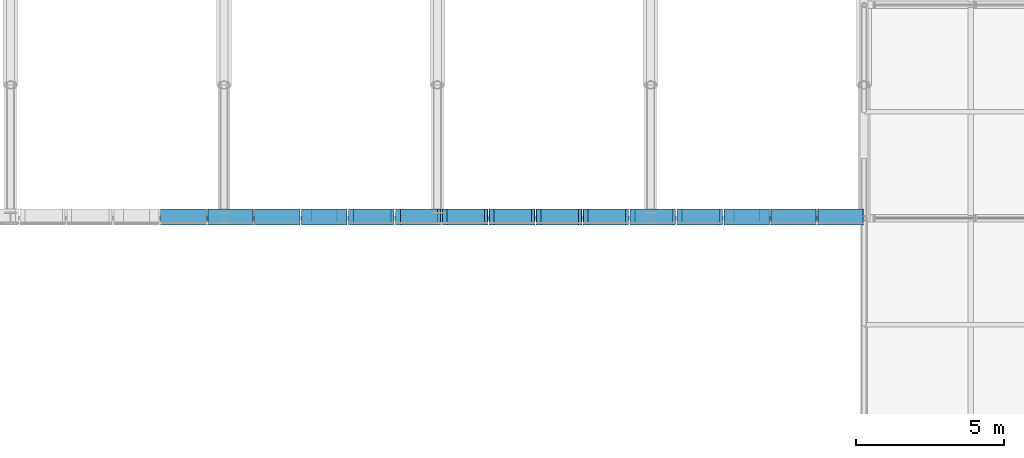
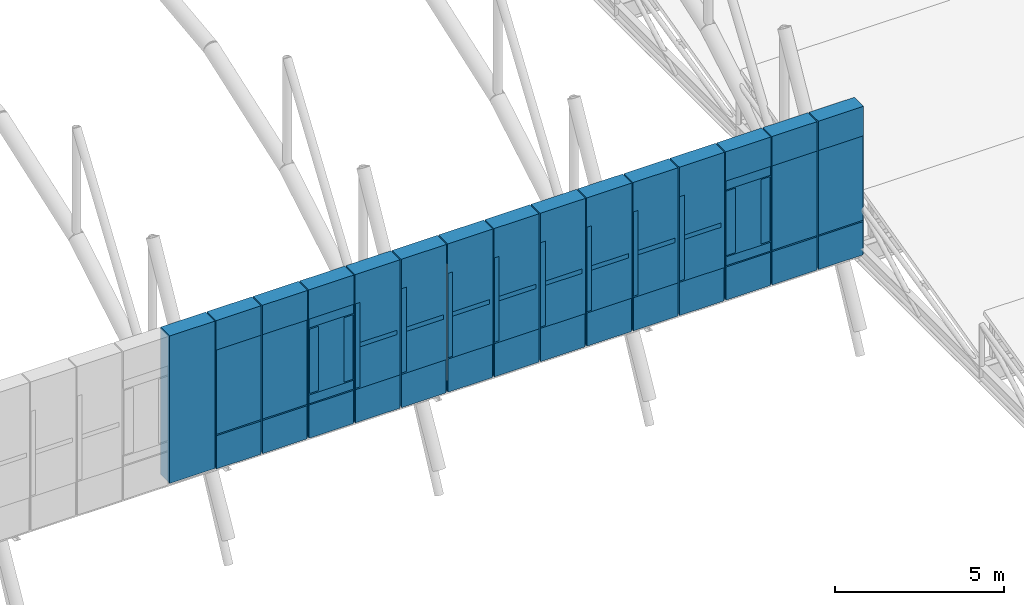
# One storey, part 116 of 144: 57 discrete accessories.
"""IFC4 building model written with IfcOpenShell, lengths in metres."""

from ifc_helpers import new_model, si_unit, direction, frame, origin, origin_2d, place, context, subcontext, project, spatial, rectangle, extrude, material, type_object, element, save


model = new_model("IFC4")

# Units and contexts
model_context = context("Model", 3, precision=1e-05, world=origin(), true_north=direction((0.0, 1.0)))
body_context = subcontext(model_context, "Body", "Model", "MODEL_VIEW")
ifc_project = project(units=[si_unit("LENGTHUNIT", "METRE"), si_unit("AREAUNIT", "SQUARE_METRE"), si_unit("VOLUMEUNIT", "CUBIC_METRE"), si_unit("PLANEANGLEUNIT", "RADIAN"), si_unit("MASSUNIT", "GRAM", prefix="KILO")], contexts=[model_context])

# Site, building, storey
site_placement = place(None, origin())
site = spatial("IfcSite", under=ifc_project, at=site_placement, CompositionType="ELEMENT")
building_placement = place(site_placement, origin())
building = spatial("IfcBuilding", under=site, at=building_placement, Name="Yarey Park Central Fire Station", CompositionType="ELEMENT")
storey_placement = place(building_placement, frame((0.0, 0.0, 10.199951171875)))
storey = spatial("IfcBuildingStorey", under=building, at=storey_placement, Name="L03", CompositionType="ELEMENT", Elevation=10.199951171875)

# Discrete accessories
ifc_material = material(Name="Stainless Steel AISI 316L", Category="steel")
discrete_accessory_type = type_object("IfcDiscreteAccessoryType", Name="ENV_BRK_SS1", PredefinedType="BRACKET", material=ifc_material)
discrete_accessory_1_placement = place(storey_placement, frame((113.83203125, 57.64990234375, -0.389892578125), z_axis=(0.0, 0.0, 1.0), x_axis=(1.0, 0.0, 0.0)))
element("IfcDiscreteAccessory", 1, at=discrete_accessory_1_placement, inside=storey, type_object=discrete_accessory_type, Name="BRK_RAIL_L03_1509", PredefinedType="BRACKET", context=body_context, shape_type="SweptSolid", body=[
    extrude(rectangle(XDim=1.5439453125, YDim=0.5400390625, at=origin_2d()), origin(), (0.0, 0.0, 1.0), 5.330078125),
])
discrete_accessory_2_placement = place(storey_placement, frame((115.416015625, 57.64990234375, -0.4248046875), z_axis=(0.0, 0.0, 1.0), x_axis=(1.0, 0.0, 0.0)))
element("IfcDiscreteAccessory", 2, at=discrete_accessory_2_placement, inside=storey, type_object=discrete_accessory_type, Name="BRK_PERF_L03_1510", PredefinedType="BRACKET", context=body_context, shape_type="SweptSolid", body=[
    extrude(rectangle(XDim=1.52392578125, YDim=0.5400390625, at=origin_2d()), origin(), (0.0, 0.0, 1.0), 1.199951171875),
])
discrete_accessory_3_placement = place(storey_placement, frame((115.416015625, 57.64990234375, 0.8251953125), z_axis=(0.0, 0.0, 1.0), x_axis=(1.0, 0.0, 0.0)))
element("IfcDiscreteAccessory", 3, at=discrete_accessory_3_placement, inside=storey, type_object=discrete_accessory_type, Name="BRK_PERF_L03_1511", PredefinedType="BRACKET", context=body_context, shape_type="SweptSolid", body=[
    extrude(rectangle(XDim=1.52392578125, YDim=0.5400390625, at=origin_2d()), origin(), (0.0, 0.0, 1.0), 3.050048828125),
])
discrete_accessory_4_placement = place(storey_placement, frame((115.416015625, 57.64990234375, -0.389892578125), z_axis=(0.0, 0.0, 1.0), x_axis=(1.0, 0.0, 0.0)))
element("IfcDiscreteAccessory", 4, at=discrete_accessory_4_placement, inside=storey, type_object=discrete_accessory_type, Name="BRK_RAIL_L03_1512", PredefinedType="BRACKET", context=body_context, shape_type="SweptSolid", body=[
    extrude(rectangle(XDim=1.5439453125, YDim=0.5400390625, at=origin_2d()), origin(), (0.0, 0.0, 1.0), 5.330078125),
])
discrete_accessory_5_placement = place(storey_placement, frame((117.0, 57.64990234375, -0.4248046875), z_axis=(0.0, 0.0, 1.0), x_axis=(1.0, 0.0, 0.0)))
element("IfcDiscreteAccessory", 5, at=discrete_accessory_5_placement, inside=storey, type_object=discrete_accessory_type, Name="BRK_PERF_L03_1513", PredefinedType="BRACKET", context=body_context, shape_type="SweptSolid", body=[
    extrude(rectangle(XDim=1.52392578125, YDim=0.5400390625, at=origin_2d()), origin(), (0.0, 0.0, 1.0), 1.199951171875),
])
discrete_accessory_6_placement = place(storey_placement, frame((117.0, 57.64990234375, 0.8251953125), z_axis=(0.0, 0.0, 1.0), x_axis=(1.0, 0.0, 0.0)))
element("IfcDiscreteAccessory", 6, at=discrete_accessory_6_placement, inside=storey, type_object=discrete_accessory_type, Name="BRK_PERF_L03_1514", PredefinedType="BRACKET", context=body_context, shape_type="SweptSolid", body=[
    extrude(rectangle(XDim=1.52392578125, YDim=0.5400390625, at=origin_2d()), origin(), (0.0, 0.0, 1.0), 3.050048828125),
])
discrete_accessory_7_placement = place(storey_placement, frame((117.0, 57.64990234375, -0.389892578125), z_axis=(0.0, 0.0, 1.0), x_axis=(1.0, 0.0, 0.0)))
element("IfcDiscreteAccessory", 7, at=discrete_accessory_7_placement, inside=storey, type_object=discrete_accessory_type, Name="BRK_RAIL_L03_1515", PredefinedType="BRACKET", context=body_context, shape_type="SweptSolid", body=[
    extrude(rectangle(XDim=1.5439453125, YDim=0.5400390625, at=origin_2d()), origin(), (0.0, 0.0, 1.0), 5.330078125),
])
discrete_accessory_8_placement = place(storey_placement, frame((118.583984375, 57.64990234375, -0.4248046875), z_axis=(0.0, 0.0, 1.0), x_axis=(1.0, 0.0, 0.0)))
element("IfcDiscreteAccessory", 8, at=discrete_accessory_8_placement, inside=storey, type_object=discrete_accessory_type, Name="BRK_PERF_L03_1516", PredefinedType="BRACKET", context=body_context, shape_type="SweptSolid", body=[
    extrude(rectangle(XDim=1.52392578125, YDim=0.5400390625, at=origin_2d()), origin(), (0.0, 0.0, 1.0), 1.199951171875),
])
for number, where, z_axis, x_axis, name in (
    (9, (118.583984375, 57.64990234375, 0.81982421875), (0.0, 0.0, 1.0), (1.0, 0.0, 0.0), "BRK_PERF_L03_1517"),
    (10, (118.583984375, 57.64990234375, 3.56005859375), (0.0, 0.0, 1.0), (1.0, 0.0, 0.0), "BRK_PERF_L03_1518"),
):
    element("IfcDiscreteAccessory", number, at=place(storey_placement, frame(where, z_axis=z_axis, x_axis=x_axis)), inside=storey, type_object=discrete_accessory_type, Name=name, PredefinedType="BRACKET", context=body_context, shape_type="SweptSolid", body=[
        extrude(rectangle(XDim=1.52392578125, YDim=0.5400390625, at=origin_2d()), origin(), (0.0, 0.0, 1.0), 0.320068359375),
    ])
for number, where, z_axis, x_axis, name in (
    (11, (117.991943359375, 57.64990234375, 1.18505859375), (0.0, 0.0, 1.0), (1.0, 0.0, 0.0), "BRK_PERF_L03_1519"),
    (12, (119.176025390625, 57.64990234375, 1.18505859375), (0.0, 0.0, 1.0), (1.0, 0.0, 0.0), "BRK_PERF_L03_1520"),
):
    element("IfcDiscreteAccessory", number, at=place(storey_placement, frame(where, z_axis=z_axis, x_axis=x_axis)), inside=storey, type_object=discrete_accessory_type, Name=name, PredefinedType="BRACKET", context=body_context, shape_type="SweptSolid", body=[
        extrude(rectangle(XDim=0.320068359375, YDim=0.5400390625, at=origin_2d()), origin(), (0.0, 0.0, 1.0), 2.330078125),
    ])
discrete_accessory_9_placement = place(storey_placement, frame((118.583984375, 57.64990234375, -0.389892578125), z_axis=(0.0, 0.0, 1.0), x_axis=(1.0, 0.0, 0.0)))
element("IfcDiscreteAccessory", 13, at=discrete_accessory_9_placement, inside=storey, type_object=discrete_accessory_type, Name="BRK_RAIL_L03_1521", PredefinedType="BRACKET", context=body_context, shape_type="SweptSolid", body=[
    extrude(rectangle(XDim=1.5439453125, YDim=0.5400390625, at=origin_2d()), origin(), (0.0, 0.0, 1.0), 5.330078125),
])
discrete_accessory_10_placement = place(storey_placement, frame((120.16796875, 57.64990234375, -0.4248046875), z_axis=(0.0, 0.0, 1.0), x_axis=(1.0, 0.0, 0.0)))
element("IfcDiscreteAccessory", 14, at=discrete_accessory_10_placement, inside=storey, type_object=discrete_accessory_type, Name="BRK_PERF_L03_1522", PredefinedType="BRACKET", context=body_context, shape_type="SweptSolid", body=[
    extrude(rectangle(XDim=1.52392578125, YDim=0.5400390625, at=origin_2d()), origin(), (0.0, 0.0, 1.0), 1.199951171875),
])
discrete_accessory_11_placement = place(storey_placement, frame((119.486083984375, 57.64990234375, 0.8251953125), z_axis=(0.0, 0.0, 1.0), x_axis=(1.0, 0.0, 0.0)))
element("IfcDiscreteAccessory", 15, at=discrete_accessory_11_placement, inside=storey, type_object=discrete_accessory_type, Name="BRK_PERF_L03_1523", PredefinedType="BRACKET", context=body_context, shape_type="SweptSolid", body=[
    extrude(rectangle(XDim=0.159912109375, YDim=0.5400390625, at=origin_2d()), origin(), (0.0, 0.0, 1.0), 3.050048828125),
])
discrete_accessory_12_placement = place(storey_placement, frame((120.16796875, 57.64990234375, 2.27001953125), z_axis=(0.0, 0.0, 1.0), x_axis=(1.0, 0.0, 0.0)))
element("IfcDiscreteAccessory", 16, at=discrete_accessory_12_placement, inside=storey, type_object=discrete_accessory_type, Name="BRK_PERF_L03_1524", PredefinedType="BRACKET", context=body_context, shape_type="SweptSolid", body=[
    extrude(rectangle(XDim=1.323974609375, YDim=0.5400390625, at=origin_2d()), origin(), (0.0, 0.0, 1.0), 0.159912109375),
])
discrete_accessory_13_placement = place(storey_placement, frame((120.16796875, 57.64990234375, -0.389892578125), z_axis=(0.0, 0.0, 1.0), x_axis=(1.0, 0.0, 0.0)))
element("IfcDiscreteAccessory", 17, at=discrete_accessory_13_placement, inside=storey, type_object=discrete_accessory_type, Name="BRK_RAIL_L03_1525", PredefinedType="BRACKET", context=body_context, shape_type="SweptSolid", body=[
    extrude(rectangle(XDim=1.5439453125, YDim=0.5400390625, at=origin_2d()), origin(), (0.0, 0.0, 1.0), 5.330078125),
])
discrete_accessory_14_placement = place(storey_placement, frame((121.751953125, 57.64990234375, -0.4248046875), z_axis=(0.0, 0.0, 1.0), x_axis=(1.0, 0.0, 0.0)))
element("IfcDiscreteAccessory", 18, at=discrete_accessory_14_placement, inside=storey, type_object=discrete_accessory_type, Name="BRK_PERF_L03_1526", PredefinedType="BRACKET", context=body_context, shape_type="SweptSolid", body=[
    extrude(rectangle(XDim=1.52392578125, YDim=0.5400390625, at=origin_2d()), origin(), (0.0, 0.0, 1.0), 1.199951171875),
])
discrete_accessory_15_placement = place(storey_placement, frame((121.070068359375, 57.64990234375, 0.8251953125), z_axis=(0.0, 0.0, 1.0), x_axis=(1.0, 0.0, 0.0)))
element("IfcDiscreteAccessory", 19, at=discrete_accessory_15_placement, inside=storey, type_object=discrete_accessory_type, Name="BRK_PERF_L03_1527", PredefinedType="BRACKET", context=body_context, shape_type="SweptSolid", body=[
    extrude(rectangle(XDim=0.159912109375, YDim=0.5400390625, at=origin_2d()), origin(), (0.0, 0.0, 1.0), 3.050048828125),
])
discrete_accessory_16_placement = place(storey_placement, frame((121.751953125, 57.64990234375, 2.27001953125), z_axis=(0.0, 0.0, 1.0), x_axis=(1.0, 0.0, 0.0)))
element("IfcDiscreteAccessory", 20, at=discrete_accessory_16_placement, inside=storey, type_object=discrete_accessory_type, Name="BRK_PERF_L03_1528", PredefinedType="BRACKET", context=body_context, shape_type="SweptSolid", body=[
    extrude(rectangle(XDim=1.323974609375, YDim=0.5400390625, at=origin_2d()), origin(), (0.0, 0.0, 1.0), 0.159912109375),
])
discrete_accessory_17_placement = place(storey_placement, frame((121.751953125, 57.64990234375, -0.389892578125), z_axis=(0.0, 0.0, 1.0), x_axis=(1.0, 0.0, 0.0)))
element("IfcDiscreteAccessory", 21, at=discrete_accessory_17_placement, inside=storey, type_object=discrete_accessory_type, Name="BRK_RAIL_L03_1529", PredefinedType="BRACKET", context=body_context, shape_type="SweptSolid", body=[
    extrude(rectangle(XDim=1.5439453125, YDim=0.5400390625, at=origin_2d()), origin(), (0.0, 0.0, 1.0), 5.330078125),
])
discrete_accessory_18_placement = place(storey_placement, frame((123.3359375, 57.64990234375, -0.4248046875), z_axis=(0.0, 0.0, 1.0), x_axis=(1.0, 0.0, 0.0)))
element("IfcDiscreteAccessory", 22, at=discrete_accessory_18_placement, inside=storey, type_object=discrete_accessory_type, Name="BRK_PERF_L03_1530", PredefinedType="BRACKET", context=body_context, shape_type="SweptSolid", body=[
    extrude(rectangle(XDim=1.52392578125, YDim=0.5400390625, at=origin_2d()), origin(), (0.0, 0.0, 1.0), 1.199951171875),
])
discrete_accessory_19_placement = place(storey_placement, frame((122.654052734375, 57.64990234375, 0.8251953125), z_axis=(0.0, 0.0, 1.0), x_axis=(1.0, 0.0, 0.0)))
element("IfcDiscreteAccessory", 23, at=discrete_accessory_19_placement, inside=storey, type_object=discrete_accessory_type, Name="BRK_PERF_L03_1531", PredefinedType="BRACKET", context=body_context, shape_type="SweptSolid", body=[
    extrude(rectangle(XDim=0.159912109375, YDim=0.5400390625, at=origin_2d()), origin(), (0.0, 0.0, 1.0), 3.050048828125),
])
discrete_accessory_20_placement = place(storey_placement, frame((123.3359375, 57.64990234375, 2.27001953125), z_axis=(0.0, 0.0, 1.0), x_axis=(1.0, 0.0, 0.0)))
element("IfcDiscreteAccessory", 24, at=discrete_accessory_20_placement, inside=storey, type_object=discrete_accessory_type, Name="BRK_PERF_L03_1532", PredefinedType="BRACKET", context=body_context, shape_type="SweptSolid", body=[
    extrude(rectangle(XDim=1.323974609375, YDim=0.5400390625, at=origin_2d()), origin(), (0.0, 0.0, 1.0), 0.159912109375),
])
discrete_accessory_21_placement = place(storey_placement, frame((123.3359375, 57.64990234375, -0.389892578125), z_axis=(0.0, 0.0, 1.0), x_axis=(1.0, 0.0, 0.0)))
element("IfcDiscreteAccessory", 25, at=discrete_accessory_21_placement, inside=storey, type_object=discrete_accessory_type, Name="BRK_RAIL_L03_1533", PredefinedType="BRACKET", context=body_context, shape_type="SweptSolid", body=[
    extrude(rectangle(XDim=1.5439453125, YDim=0.5400390625, at=origin_2d()), origin(), (0.0, 0.0, 1.0), 5.330078125),
])
discrete_accessory_22_placement = place(storey_placement, frame((124.919921875, 57.64990234375, -0.4248046875), z_axis=(0.0, 0.0, 1.0), x_axis=(1.0, 0.0, 0.0)))
element("IfcDiscreteAccessory", 26, at=discrete_accessory_22_placement, inside=storey, type_object=discrete_accessory_type, Name="BRK_PERF_L03_1534", PredefinedType="BRACKET", context=body_context, shape_type="SweptSolid", body=[
    extrude(rectangle(XDim=1.52392578125, YDim=0.5400390625, at=origin_2d()), origin(), (0.0, 0.0, 1.0), 1.199951171875),
])
discrete_accessory_23_placement = place(storey_placement, frame((124.238037109375, 57.64990234375, 0.8251953125), z_axis=(0.0, 0.0, 1.0), x_axis=(1.0, 0.0, 0.0)))
element("IfcDiscreteAccessory", 27, at=discrete_accessory_23_placement, inside=storey, type_object=discrete_accessory_type, Name="BRK_PERF_L03_1535", PredefinedType="BRACKET", context=body_context, shape_type="SweptSolid", body=[
    extrude(rectangle(XDim=0.159912109375, YDim=0.5400390625, at=origin_2d()), origin(), (0.0, 0.0, 1.0), 3.050048828125),
])
discrete_accessory_24_placement = place(storey_placement, frame((124.919921875, 57.64990234375, 2.27001953125), z_axis=(0.0, 0.0, 1.0), x_axis=(1.0, 0.0, 0.0)))
element("IfcDiscreteAccessory", 28, at=discrete_accessory_24_placement, inside=storey, type_object=discrete_accessory_type, Name="BRK_PERF_L03_1536", PredefinedType="BRACKET", context=body_context, shape_type="SweptSolid", body=[
    extrude(rectangle(XDim=1.323974609375, YDim=0.5400390625, at=origin_2d()), origin(), (0.0, 0.0, 1.0), 0.159912109375),
])
discrete_accessory_25_placement = place(storey_placement, frame((124.919921875, 57.64990234375, -0.389892578125), z_axis=(0.0, 0.0, 1.0), x_axis=(1.0, 0.0, 0.0)))
element("IfcDiscreteAccessory", 29, at=discrete_accessory_25_placement, inside=storey, type_object=discrete_accessory_type, Name="BRK_RAIL_L03_1537", PredefinedType="BRACKET", context=body_context, shape_type="SweptSolid", body=[
    extrude(rectangle(XDim=1.5439453125, YDim=0.5400390625, at=origin_2d()), origin(), (0.0, 0.0, 1.0), 5.330078125),
])
discrete_accessory_26_placement = place(storey_placement, frame((126.50390625, 57.64990234375, -0.4248046875), z_axis=(0.0, 0.0, 1.0), x_axis=(1.0, 0.0, 0.0)))
element("IfcDiscreteAccessory", 30, at=discrete_accessory_26_placement, inside=storey, type_object=discrete_accessory_type, Name="BRK_PERF_L03_1538", PredefinedType="BRACKET", context=body_context, shape_type="SweptSolid", body=[
    extrude(rectangle(XDim=1.52392578125, YDim=0.5400390625, at=origin_2d()), origin(), (0.0, 0.0, 1.0), 1.199951171875),
])
discrete_accessory_27_placement = place(storey_placement, frame((125.822021484375, 57.64990234375, 0.8251953125), z_axis=(0.0, 0.0, 1.0), x_axis=(1.0, 0.0, 0.0)))
element("IfcDiscreteAccessory", 31, at=discrete_accessory_27_placement, inside=storey, type_object=discrete_accessory_type, Name="BRK_PERF_L03_1539", PredefinedType="BRACKET", context=body_context, shape_type="SweptSolid", body=[
    extrude(rectangle(XDim=0.159912109375, YDim=0.5400390625, at=origin_2d()), origin(), (0.0, 0.0, 1.0), 3.050048828125),
])
discrete_accessory_28_placement = place(storey_placement, frame((126.50390625, 57.64990234375, 2.27001953125), z_axis=(0.0, 0.0, 1.0), x_axis=(1.0, 0.0, 0.0)))
element("IfcDiscreteAccessory", 32, at=discrete_accessory_28_placement, inside=storey, type_object=discrete_accessory_type, Name="BRK_PERF_L03_1540", PredefinedType="BRACKET", context=body_context, shape_type="SweptSolid", body=[
    extrude(rectangle(XDim=1.323974609375, YDim=0.5400390625, at=origin_2d()), origin(), (0.0, 0.0, 1.0), 0.159912109375),
])
discrete_accessory_29_placement = place(storey_placement, frame((126.50390625, 57.64990234375, -0.389892578125), z_axis=(0.0, 0.0, 1.0), x_axis=(1.0, 0.0, 0.0)))
element("IfcDiscreteAccessory", 33, at=discrete_accessory_29_placement, inside=storey, type_object=discrete_accessory_type, Name="BRK_RAIL_L03_1541", PredefinedType="BRACKET", context=body_context, shape_type="SweptSolid", body=[
    extrude(rectangle(XDim=1.5439453125, YDim=0.5400390625, at=origin_2d()), origin(), (0.0, 0.0, 1.0), 5.330078125),
])
discrete_accessory_30_placement = place(storey_placement, frame((128.087890625, 57.64990234375, -0.4248046875), z_axis=(0.0, 0.0, 1.0), x_axis=(1.0, 0.0, 0.0)))
element("IfcDiscreteAccessory", 34, at=discrete_accessory_30_placement, inside=storey, type_object=discrete_accessory_type, Name="BRK_PERF_L03_1542", PredefinedType="BRACKET", context=body_context, shape_type="SweptSolid", body=[
    extrude(rectangle(XDim=1.52392578125, YDim=0.5400390625, at=origin_2d()), origin(), (0.0, 0.0, 1.0), 1.199951171875),
])
discrete_accessory_31_placement = place(storey_placement, frame((127.406005859375, 57.64990234375, 0.8251953125), z_axis=(0.0, 0.0, 1.0), x_axis=(1.0, 0.0, 0.0)))
element("IfcDiscreteAccessory", 35, at=discrete_accessory_31_placement, inside=storey, type_object=discrete_accessory_type, Name="BRK_PERF_L03_1543", PredefinedType="BRACKET", context=body_context, shape_type="SweptSolid", body=[
    extrude(rectangle(XDim=0.159912109375, YDim=0.5400390625, at=origin_2d()), origin(), (0.0, 0.0, 1.0), 3.050048828125),
])
discrete_accessory_32_placement = place(storey_placement, frame((128.087890625, 57.64990234375, 2.27001953125), z_axis=(0.0, 0.0, 1.0), x_axis=(1.0, 0.0, 0.0)))
element("IfcDiscreteAccessory", 36, at=discrete_accessory_32_placement, inside=storey, type_object=discrete_accessory_type, Name="BRK_PERF_L03_1544", PredefinedType="BRACKET", context=body_context, shape_type="SweptSolid", body=[
    extrude(rectangle(XDim=1.323974609375, YDim=0.5400390625, at=origin_2d()), origin(), (0.0, 0.0, 1.0), 0.159912109375),
])
discrete_accessory_33_placement = place(storey_placement, frame((128.087890625, 57.64990234375, -0.389892578125), z_axis=(0.0, 0.0, 1.0), x_axis=(1.0, 0.0, 0.0)))
element("IfcDiscreteAccessory", 37, at=discrete_accessory_33_placement, inside=storey, type_object=discrete_accessory_type, Name="BRK_RAIL_L03_1545", PredefinedType="BRACKET", context=body_context, shape_type="SweptSolid", body=[
    extrude(rectangle(XDim=1.5439453125, YDim=0.5400390625, at=origin_2d()), origin(), (0.0, 0.0, 1.0), 5.330078125),
])
discrete_accessory_34_placement = place(storey_placement, frame((129.672119140625, 57.64990234375, -0.4248046875), z_axis=(0.0, 0.0, 1.0), x_axis=(1.0, 0.0, 0.0)))
element("IfcDiscreteAccessory", 38, at=discrete_accessory_34_placement, inside=storey, type_object=discrete_accessory_type, Name="BRK_PERF_L03_1546", PredefinedType="BRACKET", context=body_context, shape_type="SweptSolid", body=[
    extrude(rectangle(XDim=1.52392578125, YDim=0.5400390625, at=origin_2d()), origin(), (0.0, 0.0, 1.0), 1.199951171875),
])
discrete_accessory_35_placement = place(storey_placement, frame((128.989990234375, 57.64990234375, 0.8251953125), z_axis=(0.0, 0.0, 1.0), x_axis=(1.0, 0.0, 0.0)))
element("IfcDiscreteAccessory", 39, at=discrete_accessory_35_placement, inside=storey, type_object=discrete_accessory_type, Name="BRK_PERF_L03_1547", PredefinedType="BRACKET", context=body_context, shape_type="SweptSolid", body=[
    extrude(rectangle(XDim=0.159912109375, YDim=0.5400390625, at=origin_2d()), origin(), (0.0, 0.0, 1.0), 3.050048828125),
])
discrete_accessory_36_placement = place(storey_placement, frame((129.672119140625, 57.64990234375, 2.27001953125), z_axis=(0.0, 0.0, 1.0), x_axis=(1.0, 0.0, 0.0)))
element("IfcDiscreteAccessory", 40, at=discrete_accessory_36_placement, inside=storey, type_object=discrete_accessory_type, Name="BRK_PERF_L03_1548", PredefinedType="BRACKET", context=body_context, shape_type="SweptSolid", body=[
    extrude(rectangle(XDim=1.323974609375, YDim=0.5400390625, at=origin_2d()), origin(), (0.0, 0.0, 1.0), 0.159912109375),
])
discrete_accessory_37_placement = place(storey_placement, frame((129.672119140625, 57.64990234375, -0.389892578125), z_axis=(0.0, 0.0, 1.0), x_axis=(1.0, 0.0, 0.0)))
element("IfcDiscreteAccessory", 41, at=discrete_accessory_37_placement, inside=storey, type_object=discrete_accessory_type, Name="BRK_RAIL_L03_1549", PredefinedType="BRACKET", context=body_context, shape_type="SweptSolid", body=[
    extrude(rectangle(XDim=1.5439453125, YDim=0.5400390625, at=origin_2d()), origin(), (0.0, 0.0, 1.0), 5.330078125),
])
discrete_accessory_38_placement = place(storey_placement, frame((131.256103515625, 57.64990234375, -0.4248046875), z_axis=(0.0, 0.0, 1.0), x_axis=(1.0, 0.0, 0.0)))
element("IfcDiscreteAccessory", 42, at=discrete_accessory_38_placement, inside=storey, type_object=discrete_accessory_type, Name="BRK_PERF_L03_1550", PredefinedType="BRACKET", context=body_context, shape_type="SweptSolid", body=[
    extrude(rectangle(XDim=1.52392578125, YDim=0.5400390625, at=origin_2d()), origin(), (0.0, 0.0, 1.0), 1.199951171875),
])
discrete_accessory_39_placement = place(storey_placement, frame((130.573974609375, 57.64990234375, 0.8251953125), z_axis=(0.0, 0.0, 1.0), x_axis=(1.0, 0.0, 0.0)))
element("IfcDiscreteAccessory", 43, at=discrete_accessory_39_placement, inside=storey, type_object=discrete_accessory_type, Name="BRK_PERF_L03_1551", PredefinedType="BRACKET", context=body_context, shape_type="SweptSolid", body=[
    extrude(rectangle(XDim=0.159912109375, YDim=0.5400390625, at=origin_2d()), origin(), (0.0, 0.0, 1.0), 3.050048828125),
])
discrete_accessory_40_placement = place(storey_placement, frame((131.256103515625, 57.64990234375, 2.27001953125), z_axis=(0.0, 0.0, 1.0), x_axis=(1.0, 0.0, 0.0)))
element("IfcDiscreteAccessory", 44, at=discrete_accessory_40_placement, inside=storey, type_object=discrete_accessory_type, Name="BRK_PERF_L03_1552", PredefinedType="BRACKET", context=body_context, shape_type="SweptSolid", body=[
    extrude(rectangle(XDim=1.323974609375, YDim=0.5400390625, at=origin_2d()), origin(), (0.0, 0.0, 1.0), 0.159912109375),
])
discrete_accessory_41_placement = place(storey_placement, frame((131.256103515625, 57.64990234375, -0.389892578125), z_axis=(0.0, 0.0, 1.0), x_axis=(1.0, 0.0, 0.0)))
element("IfcDiscreteAccessory", 45, at=discrete_accessory_41_placement, inside=storey, type_object=discrete_accessory_type, Name="BRK_RAIL_L03_1553", PredefinedType="BRACKET", context=body_context, shape_type="SweptSolid", body=[
    extrude(rectangle(XDim=1.5439453125, YDim=0.5400390625, at=origin_2d()), origin(), (0.0, 0.0, 1.0), 5.330078125),
])
discrete_accessory_42_placement = place(storey_placement, frame((132.840087890625, 57.64990234375, -0.4248046875), z_axis=(0.0, 0.0, 1.0), x_axis=(1.0, 0.0, 0.0)))
element("IfcDiscreteAccessory", 46, at=discrete_accessory_42_placement, inside=storey, type_object=discrete_accessory_type, Name="BRK_PERF_L03_1554", PredefinedType="BRACKET", context=body_context, shape_type="SweptSolid", body=[
    extrude(rectangle(XDim=1.52392578125, YDim=0.5400390625, at=origin_2d()), origin(), (0.0, 0.0, 1.0), 1.199951171875),
])
for number, where, z_axis, x_axis, name in (
    (47, (132.840087890625, 57.64990234375, 0.81982421875), (0.0, 0.0, 1.0), (1.0, 0.0, 0.0), "BRK_PERF_L03_1555"),
    (48, (132.840087890625, 57.64990234375, 3.56005859375), (0.0, 0.0, 1.0), (1.0, 0.0, 0.0), "BRK_PERF_L03_1556"),
):
    element("IfcDiscreteAccessory", number, at=place(storey_placement, frame(where, z_axis=z_axis, x_axis=x_axis)), inside=storey, type_object=discrete_accessory_type, Name=name, PredefinedType="BRACKET", context=body_context, shape_type="SweptSolid", body=[
        extrude(rectangle(XDim=1.52392578125, YDim=0.5400390625, at=origin_2d()), origin(), (0.0, 0.0, 1.0), 0.320068359375),
    ])
for number, where, z_axis, x_axis, name in (
    (49, (132.248046875, 57.64990234375, 1.18505859375), (0.0, 0.0, 1.0), (1.0, 0.0, 0.0), "BRK_PERF_L03_1557"),
    (50, (133.431884765625, 57.64990234375, 1.18505859375), (0.0, 0.0, 1.0), (1.0, 0.0, 0.0), "BRK_PERF_L03_1558"),
):
    element("IfcDiscreteAccessory", number, at=place(storey_placement, frame(where, z_axis=z_axis, x_axis=x_axis)), inside=storey, type_object=discrete_accessory_type, Name=name, PredefinedType="BRACKET", context=body_context, shape_type="SweptSolid", body=[
        extrude(rectangle(XDim=0.320068359375, YDim=0.5400390625, at=origin_2d()), origin(), (0.0, 0.0, 1.0), 2.330078125),
    ])
discrete_accessory_43_placement = place(storey_placement, frame((132.840087890625, 57.64990234375, -0.389892578125), z_axis=(0.0, 0.0, 1.0), x_axis=(1.0, 0.0, 0.0)))
element("IfcDiscreteAccessory", 51, at=discrete_accessory_43_placement, inside=storey, type_object=discrete_accessory_type, Name="BRK_RAIL_L03_1559", PredefinedType="BRACKET", context=body_context, shape_type="SweptSolid", body=[
    extrude(rectangle(XDim=1.5439453125, YDim=0.5400390625, at=origin_2d()), origin(), (0.0, 0.0, 1.0), 5.330078125),
])
discrete_accessory_44_placement = place(storey_placement, frame((134.424072265625, 57.64990234375, -0.4248046875), z_axis=(0.0, 0.0, 1.0), x_axis=(1.0, 0.0, 0.0)))
element("IfcDiscreteAccessory", 52, at=discrete_accessory_44_placement, inside=storey, type_object=discrete_accessory_type, Name="BRK_PERF_L03_1560", PredefinedType="BRACKET", context=body_context, shape_type="SweptSolid", body=[
    extrude(rectangle(XDim=1.52392578125, YDim=0.5400390625, at=origin_2d()), origin(), (0.0, 0.0, 1.0), 1.199951171875),
])
discrete_accessory_45_placement = place(storey_placement, frame((134.424072265625, 57.64990234375, 0.8251953125), z_axis=(0.0, 0.0, 1.0), x_axis=(1.0, 0.0, 0.0)))
element("IfcDiscreteAccessory", 53, at=discrete_accessory_45_placement, inside=storey, type_object=discrete_accessory_type, Name="BRK_PERF_L03_1561", PredefinedType="BRACKET", context=body_context, shape_type="SweptSolid", body=[
    extrude(rectangle(XDim=1.52392578125, YDim=0.5400390625, at=origin_2d()), origin(), (0.0, 0.0, 1.0), 3.050048828125),
])
discrete_accessory_46_placement = place(storey_placement, frame((134.424072265625, 57.64990234375, -0.389892578125), z_axis=(0.0, 0.0, 1.0), x_axis=(1.0, 0.0, 0.0)))
element("IfcDiscreteAccessory", 54, at=discrete_accessory_46_placement, inside=storey, type_object=discrete_accessory_type, Name="BRK_RAIL_L03_1562", PredefinedType="BRACKET", context=body_context, shape_type="SweptSolid", body=[
    extrude(rectangle(XDim=1.5439453125, YDim=0.5400390625, at=origin_2d()), origin(), (0.0, 0.0, 1.0), 5.330078125),
])
discrete_accessory_47_placement = place(storey_placement, frame((136.008056640625, 57.64990234375, -0.4248046875), z_axis=(0.0, 0.0, 1.0), x_axis=(1.0, 0.0, 0.0)))
element("IfcDiscreteAccessory", 55, at=discrete_accessory_47_placement, inside=storey, type_object=discrete_accessory_type, Name="BRK_PERF_L03_1563", PredefinedType="BRACKET", context=body_context, shape_type="SweptSolid", body=[
    extrude(rectangle(XDim=1.52392578125, YDim=0.5400390625, at=origin_2d()), origin(), (0.0, 0.0, 1.0), 1.199951171875),
])
discrete_accessory_48_placement = place(storey_placement, frame((136.008056640625, 57.64990234375, 0.8251953125), z_axis=(0.0, 0.0, 1.0), x_axis=(1.0, 0.0, 0.0)))
element("IfcDiscreteAccessory", 56, at=discrete_accessory_48_placement, inside=storey, type_object=discrete_accessory_type, Name="BRK_PERF_L03_1564", PredefinedType="BRACKET", context=body_context, shape_type="SweptSolid", body=[
    extrude(rectangle(XDim=1.52392578125, YDim=0.5400390625, at=origin_2d()), origin(), (0.0, 0.0, 1.0), 3.050048828125),
])
discrete_accessory_49_placement = place(storey_placement, frame((136.008056640625, 57.64990234375, -0.389892578125), z_axis=(0.0, 0.0, 1.0), x_axis=(1.0, 0.0, 0.0)))
element("IfcDiscreteAccessory", 57, at=discrete_accessory_49_placement, inside=storey, type_object=discrete_accessory_type, Name="BRK_RAIL_L03_1565", PredefinedType="BRACKET", context=body_context, shape_type="SweptSolid", body=[
    extrude(rectangle(XDim=1.5439453125, YDim=0.5400390625, at=origin_2d()), origin(), (0.0, 0.0, 1.0), 5.330078125),
])

save(model, "model.ifc")
